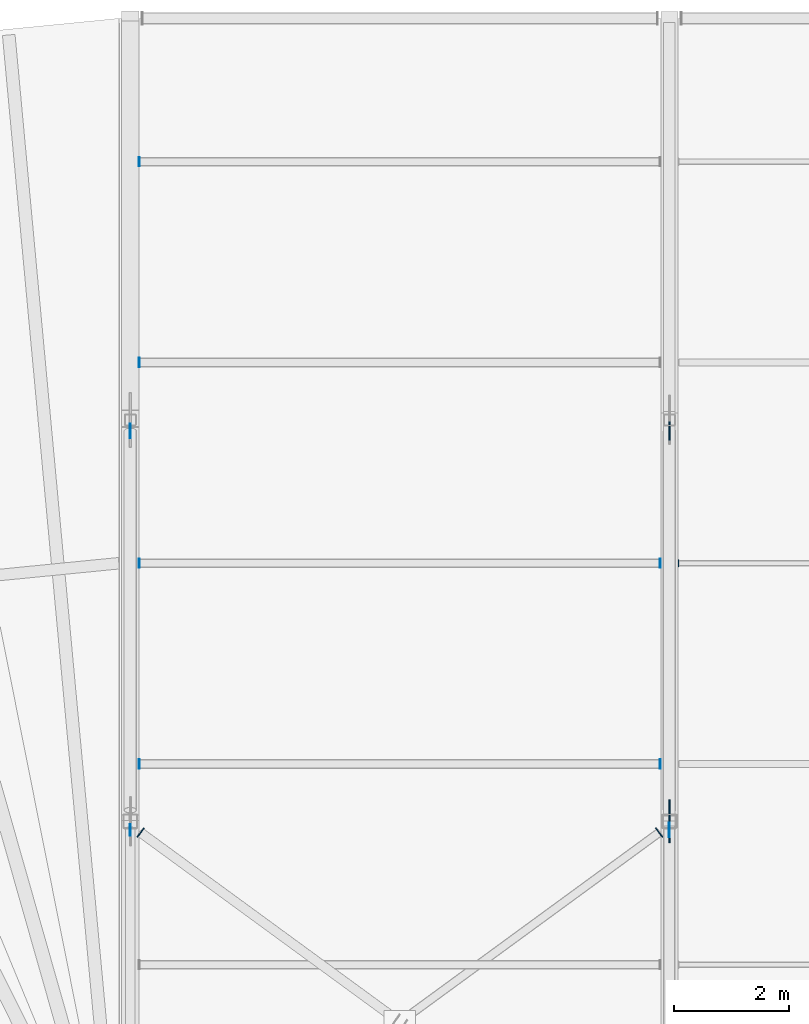
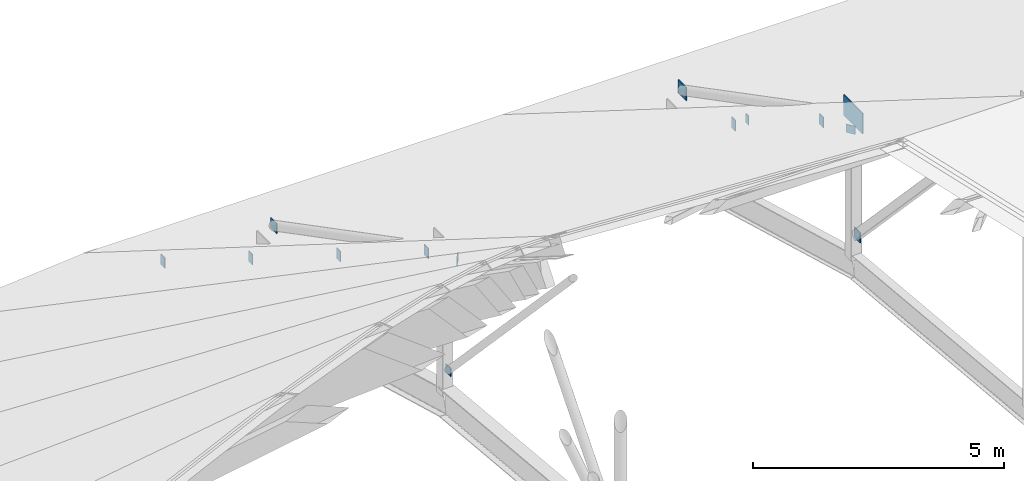
# One storey, part 49 of 66: 14 plates.
"""IFC4 building model written with IfcOpenShell, lengths in metres."""

import ifcopenshell
import ifcopenshell.guid

model = None  # the IFC model being written
_history = None  # IfcOwnerHistory: only IFC2X3 demands one
_inside = {}  # id of a spatial element -> (the spatial element, [elements in it])
_under = {}  # id of a project, library or spatial element -> (it, [spatial elements below it])
_declared = {}  # id of a project -> (the project, [libraries it declares])
_typed = {}  # id of a type object -> (the type object, [elements of that type])
_made_of = {}  # id of a material, layer set ... -> (it, [elements and type objects made of it])


def new_model(schema):
    """Start an empty IFC model of exactly this schema.

    Asked for "IFC4X3", IfcOpenShell would pick the latest addendum, in which some entities
    have other attributes; the version numbers below select the first issue.
    IFC2X3 requires an IfcOwnerHistory on every rooted entity: one is made here for all.
    """
    global model, _history
    if schema == "IFC4X3":
        model = ifcopenshell.file(schema_version=(4, 3, 0, 0))
    else:
        model = ifcopenshell.file(schema=schema)
    _inside.clear()
    _under.clear()
    _declared.clear()
    _typed.clear()
    _made_of.clear()
    _history = None
    if model.schema == "IFC2X3":
        org = make("IfcOrganization", Name="unknown")
        user = make(
            "IfcPersonAndOrganization",
            ThePerson=make("IfcPerson", FamilyName="unknown"),
            TheOrganization=org,
        )
        app = make(
            "IfcApplication",
            ApplicationDeveloper=org,
            Version="unknown",
            ApplicationFullName="unknown",
            ApplicationIdentifier="unknown",
        )
        _history = make(
            "IfcOwnerHistory",
            OwningUser=user,
            OwningApplication=app,
            ChangeAction="ADDED",
            CreationDate=0,
        )
    return model


def make(cls, **values):
    """One entity of the class cls with the attributes given. An attribute that is None is left unset."""
    return model.create_entity(
        cls, **{name: value for name, value in values.items() if value is not None}
    )


def rooted(cls, **values):
    """An entity with a GlobalId (a new one), such as an element, a storey or a relation."""
    return make(cls, GlobalId=ifcopenshell.guid.new(), OwnerHistory=_history, **values)


def si_unit(unit_type, name, prefix=None):
    """IfcSIUnit, for example si_unit("LENGTHUNIT", "METRE", prefix="MILLI")."""
    return make("IfcSIUnit", UnitType=unit_type, Prefix=prefix, Name=name)


def assignment(units):
    """IfcUnitAssignment: the units of a project."""
    return None if units is None else make("IfcUnitAssignment", Units=units)


def point(xyz):
    """IfcCartesianPoint."""
    return None if xyz is None else make("IfcCartesianPoint", Coordinates=xyz)


def direction(xyz):
    """IfcDirection."""
    return None if xyz is None else make("IfcDirection", DirectionRatios=xyz)


def frame(location, z_axis=None, x_axis=None):
    """IfcAxis2Placement3D, a coordinate frame: its origin and axes. An axis left out is left unset."""
    return make(
        "IfcAxis2Placement3D",
        Location=point(location),
        Axis=direction(z_axis),
        RefDirection=direction(x_axis),
    )


def frame_2d(location, x_axis=None):
    """IfcAxis2Placement2D, a coordinate frame in the plane: its origin and x axis."""
    return make(
        "IfcAxis2Placement2D", Location=point(location), RefDirection=direction(x_axis)
    )


def origin():
    """The frame at (0, 0, 0) with its axes left unset."""
    return frame((0.0, 0.0, 0.0))


def origin_2d():
    """The frame at (0, 0) in the plane with its x axis left unset."""
    return frame_2d((0.0, 0.0))


def place(relative_to, where):
    """IfcLocalPlacement: puts the frame where relative to a parent placement (None: the world)."""
    return make(
        "IfcLocalPlacement", PlacementRelTo=relative_to, RelativePlacement=where
    )


def context(
    kind, dimensions, precision=None, world=None, true_north=None, identifier=None
):
    """IfcGeometricRepresentationContext, for example the 3D "Model" context."""
    return make(
        "IfcGeometricRepresentationContext",
        ContextIdentifier=identifier,
        ContextType=kind,
        CoordinateSpaceDimension=dimensions,
        Precision=precision,
        WorldCoordinateSystem=world,
        TrueNorth=true_north,
    )


def subcontext(parent, identifier, kind, view, scale=None):
    """IfcGeometricRepresentationSubContext, for example "Body" below "Model"."""
    return make(
        "IfcGeometricRepresentationSubContext",
        ContextIdentifier=identifier,
        ContextType=kind,
        ParentContext=parent,
        TargetScale=scale,
        TargetView=view,
    )


def project(units=None, contexts=None):
    """IfcProject with its units and contexts."""
    return rooted(
        "IfcProject",
        Name="project",
        RepresentationContexts=contexts,
        UnitsInContext=assignment(units),
    )


def spatial(cls, under=None, at=None, **own):
    """A site, building, storey or space (cls), placed at a placement, below another one or the project."""
    s = rooted(cls, ObjectPlacement=at, **own)
    if under is not None:
        _under.setdefault(under.id(), (under, []))[1].append(s)
    return s


def profile(cls, at=None, kind="AREA", **sizes):
    """A parametric profile (cls). Its sizes go by their IFC names, for example OverallWidth=200.0."""
    return make(cls, ProfileType=kind, Position=at, **sizes)


def rectangle(**sizes):
    """IfcRectangleProfileDef."""
    return profile("IfcRectangleProfileDef", **sizes)


def extrude(swept, where, along, depth):
    """IfcExtrudedAreaSolid: the profile swept, set in the frame where, extruded along a direction by depth."""
    return make(
        "IfcExtrudedAreaSolid",
        SweptArea=swept,
        Position=where,
        ExtrudedDirection=direction(along),
        Depth=depth,
    )


def shape(context_of_items, identifier, shape_type, items):
    """IfcShapeRepresentation: the items that make up one representation, for example the "Body"."""
    return make(
        "IfcShapeRepresentation",
        ContextOfItems=context_of_items,
        RepresentationIdentifier=identifier,
        RepresentationType=shape_type,
        Items=items,
    )


def material(Name=None, Category=None):
    """IfcMaterial."""
    return make("IfcMaterial", Name=Name, Category=Category)


def layer(
    of_material, thickness, ventilated=None, Name=None, Category=None, Priority=None
):
    """IfcMaterialLayer: one layer of a wall or slab, of a material (None: an air gap)."""
    return make(
        "IfcMaterialLayer",
        Material=of_material,
        LayerThickness=thickness,
        IsVentilated=ventilated,
        Name=Name,
        Category=Category,
        Priority=Priority,
    )


def layer_set(layers, Name=None):
    """IfcMaterialLayerSet."""
    return make("IfcMaterialLayerSet", MaterialLayers=layers, LayerSetName=Name)


def made_of(thing, what):
    """Note that an element or type object is made of a material, layer set ...; save() writes the relation."""
    if what is not None:
        _made_of.setdefault(what.id(), (what, []))[1].append(thing)
    return thing


def type_object(cls, material=None, **own):
    """A type object (cls), such as IfcWallType, which elements share."""
    return made_of(rooted(cls, **own), material)


def element(
    cls,
    number,
    at=None,
    inside=None,
    cuts=None,
    type_object=None,
    material=None,
    context=None,
    identifier="Body",
    shape_type=None,
    held_by="IfcProductDefinitionShape",
    body=None,
    shapes=None,
    **own,
):
    """One element of the class cls, such as IfcWall. Its Tag is "e" and its number.

    at: its placement. inside: the storey or other place that contains it. cuts: it is an
    opening in that element (IfcRelVoidsElement). A single representation is given by context,
    identifier, shape_type and body (its items); several are given by shapes. held_by: the class
    of the entity that holds the representations. save() writes the other relations.
    """
    e = rooted(cls, Tag="e%d" % number, ObjectPlacement=at, **own)
    if body is not None:
        shapes = [shape(context, identifier, shape_type, body)]
    if shapes is not None:
        e.Representation = make(held_by, Representations=shapes)
    if inside is not None:
        _inside.setdefault(inside.id(), (inside, []))[1].append(e)
    if cuts is not None:
        rooted(
            "IfcRelVoidsElement", RelatingBuildingElement=cuts, RelatedOpeningElement=e
        )
    if type_object is not None:
        _typed.setdefault(type_object.id(), (type_object, []))[1].append(e)
    return made_of(e, material)


def aggregate(whole, parts):
    """IfcRelAggregates: a whole, such as a stair, and the parts it consists of."""
    return rooted("IfcRelAggregates", RelatingObject=whole, RelatedObjects=parts)


def save(model, path):
    """Write the relations noted so far, then the file.

    IfcRelAggregates (storeys below a building ...), IfcRelContainedInSpatialStructure (elements
    in a storey), IfcRelDefinesByType, IfcRelAssociatesMaterial and IfcRelDeclares: one each for
    every whole, place, type object, material and project.
    """
    for whole, parts in _under.values():
        aggregate(whole, parts)
    for where, things in _inside.values():
        rooted(
            "IfcRelContainedInSpatialStructure",
            RelatedElements=things,
            RelatingStructure=where,
        )
    for kind, things in _typed.values():
        rooted("IfcRelDefinesByType", RelatedObjects=things, RelatingType=kind)
    for what, things in _made_of.values():
        rooted("IfcRelAssociatesMaterial", RelatedObjects=things, RelatingMaterial=what)
    for by, libraries in _declared.values():
        rooted("IfcRelDeclares", RelatingContext=by, RelatedDefinitions=libraries)
    model.write(path)


model = new_model("IFC4")

# Units and contexts
model_context = context("Model", 3, precision=1e-05, world=origin(), true_north=direction((0.0, 1.0)))
body_context = subcontext(model_context, "Body", "Model", "MODEL_VIEW")
ifc_project = project(units=[si_unit("LENGTHUNIT", "METRE"), si_unit("AREAUNIT", "SQUARE_METRE"), si_unit("VOLUMEUNIT", "CUBIC_METRE"), si_unit("PLANEANGLEUNIT", "RADIAN"), si_unit("MASSUNIT", "GRAM", prefix="KILO")], contexts=[model_context])

# Site, building, storey
site_placement = place(None, origin())
site = spatial("IfcSite", under=ifc_project, at=site_placement, CompositionType="ELEMENT")
building_placement = place(site_placement, origin())
building = spatial("IfcBuilding", under=site, at=building_placement, Name="Yeouljin Market Hall", CompositionType="ELEMENT")
storey_placement = place(building_placement, frame((0.0, 0.0, 23.39990234375)))
storey = spatial("IfcBuildingStorey", under=building, at=storey_placement, Name="RF", CompositionType="ELEMENT", Elevation=23.39990234375)

# Plates
ifc_material_1 = material(Name="Steel SM355", Category="steel")
ifc_layer_1 = layer(ifc_material_1, 0.01611328125)
ifc_layer_set_1 = layer_set([ifc_layer_1], Name="Steel SM355")
plate_type_1 = type_object("IfcPlateType", Name="CapPlate_200x200x16", PredefinedType="SHEET", material=ifc_layer_set_1)
for number, where, z_axis, x_axis, name in (
    (1, (35.60009765625, 63.848876953125, -6.43994140625), (0.0, 0.0, 1.0), (0.0, 1.0, 0.0), "Hollow web end-cap plate 0003"),
    (2, (44.820068359375, 63.804443359375, -3.78271484375), (0.0, 0.0, 1.0), (-0.590183063249, 0.807269441918, 0.0), "Wind brace end-cap plate 0080"),
    (3, (35.780029296875, 63.804443359375, -3.78271484375), (0.0, 0.0, 1.0), (0.590183063249, 0.807269441918, 0.0), "Wind brace end-cap plate 0081"),
):
    element("IfcPlate", number, at=place(storey_placement, frame(where, z_axis=z_axis, x_axis=x_axis)), inside=storey, type_object=plate_type_1, Name=name, PredefinedType="SHEET", context=body_context, shape_type="SweptSolid", body=[
        extrude(rectangle(XDim=0.199951171875, YDim=0.01611328125, at=origin_2d()), origin(), (0.0, 0.0, 1.0), 0.199951171875),
    ])
ifc_material_2 = material(Name="Steel SM355", Category="steel")
ifc_layer_2 = layer(ifc_material_2, 0.01611328125)
ifc_layer_set_2 = layer_set([ifc_layer_2], Name="Steel SM355")
plate_type_2 = type_object("IfcPlateType", Name="CapPlate_220x120x16", PredefinedType="SHEET", material=ifc_layer_set_2)
plate_1_placement = place(storey_placement, frame((45.157958984375, 68.5, -6.5185546875), z_axis=(0.0, 0.0, 1.0), x_axis=(0.0, 1.0, 0.0)))
element("IfcPlate", 4, at=plate_1_placement, inside=storey, type_object=plate_type_2, Name="Purlin end-cap plate 0093", PredefinedType="SHEET", context=body_context, shape_type="SweptSolid", body=[
    extrude(rectangle(XDim=0.1201171875, YDim=0.01611328125, at=origin_2d()), origin(), (0.0, 0.0, 1.0), 0.219970703125),
])
ifc_material_3 = material(Name="Steel SM355", Category="steel")
ifc_layer_3 = layer(ifc_material_3, 0.01611328125)
ifc_layer_set_3 = layer_set([ifc_layer_3], Name="Steel SM355")
plate_type_3 = type_object("IfcPlateType", Name="CapPlate_250x250x16", PredefinedType="SHEET", material=ifc_layer_set_3)
for number, where, z_axis, x_axis, name in (
    (5, (35.60009765625, 70.804931640625, -7.167724609375), (0.0, 0.0, 1.0), (0.0, 1.0, 0.0), "Hollow web end-cap plate 0004"),
    (6, (45.0, 63.848876953125, -6.465087890625), (0.0, 0.0, 1.0), (0.0, 1.0, 0.0), "Hollow web end-cap plate 0007"),
):
    element("IfcPlate", number, at=place(storey_placement, frame(where, z_axis=z_axis, x_axis=x_axis)), inside=storey, type_object=plate_type_3, Name=name, PredefinedType="SHEET", context=body_context, shape_type="SweptSolid", body=[
        extrude(rectangle(XDim=0.25, YDim=0.01611328125, at=origin_2d()), origin(), (0.0, 0.0, 1.0), 0.25),
    ])
ifc_material_4 = material(Name="Steel SM355", Category="steel")
ifc_layer_4 = layer(ifc_material_4, 0.01611328125)
ifc_layer_set_4 = layer_set([ifc_layer_4], Name="Steel SM355")
plate_type_4 = type_object("IfcPlateType", Name="CapPlate_260x160x16", PredefinedType="SHEET", material=ifc_layer_set_4)
for number, where, z_axis, x_axis, name in (
    (7, (35.758056640625, 65.0, -4.33837890625), (0.0, 0.0, 1.0), (0.0, 1.0, 0.0), "Purlin end-cap plate 0065"),
    (8, (44.842041015625, 65.0, -4.33837890625), (0.0, 0.0, 1.0), (0.0, 1.0, 0.0), "Purlin end-cap plate 0066"),
    (9, (35.758056640625, 68.5, -6.53857421875), (0.0, 0.0, 1.0), (0.0, 1.0, 0.0), "Purlin end-cap plate 0067"),
    (10, (44.842041015625, 68.5, -6.53857421875), (0.0, 0.0, 1.0), (0.0, 1.0, 0.0), "Purlin end-cap plate 0068"),
    (11, (35.758056640625, 72.0, -8.73828125), (0.0, 0.0, 1.0), (0.0, 1.0, 0.0), "Purlin end-cap plate 0069"),
    (12, (35.758056640625, 75.5, -10.9384765625), (0.0, 0.0, 1.0), (0.0, 1.0, 0.0), "Purlin end-cap plate 0071"),
):
    element("IfcPlate", number, at=place(storey_placement, frame(where, z_axis=z_axis, x_axis=x_axis)), inside=storey, type_object=plate_type_4, Name=name, PredefinedType="SHEET", context=body_context, shape_type="SweptSolid", body=[
        extrude(rectangle(XDim=0.159912109375, YDim=0.01611328125, at=origin_2d()), origin(), (0.0, 0.0, 1.0), 0.260009765625),
    ])
ifc_material_5 = material(Name="Steel SM355", Category="steel")
ifc_layer_5 = layer(ifc_material_5, 0.02001953125)
ifc_layer_set_5 = layer_set([ifc_layer_5], Name="Steel SM355")
plate_type_5 = type_object("IfcPlateType", Name="CapPlate_320x320x20", PredefinedType="SHEET", material=ifc_layer_set_5)
plate_2_placement = place(storey_placement, frame((45.0, 70.804931640625, -7.20263671875), z_axis=(0.0, 0.0, 1.0), x_axis=(0.0, 1.0, 0.0)))
element("IfcPlate", 13, at=plate_2_placement, inside=storey, type_object=plate_type_5, Name="Hollow web end-cap plate 0008", PredefinedType="SHEET", context=body_context, shape_type="SweptSolid", body=[
    extrude(rectangle(XDim=0.320068359375, YDim=0.02001953125, at=origin_2d()), origin(), (0.0, 0.0, 1.0), 0.320068359375),
])
ifc_material_6 = material(Name="Steel SM355", Category="steel")
ifc_layer_6 = layer(ifc_material_6, 0.02392578125)
ifc_layer_set_6 = layer_set([ifc_layer_6], Name="Steel SM355")
plate_type_6 = type_object("IfcPlateType", Name="GussetPlate_750x500x24", PredefinedType="USERDEFINED", material=ifc_layer_set_6)
plate_3_placement = place(storey_placement, frame((45.0, 64.0, -3.75), z_axis=(0.0, 0.0, 1.0), x_axis=(0.0, 1.0, 0.0)))
element("IfcPlate", 14, at=plate_3_placement, inside=storey, type_object=plate_type_6, Name="Truss node gusset plate 009", ObjectType="GUSSET PLATE", PredefinedType="USERDEFINED", context=body_context, shape_type="SweptSolid", body=[
    extrude(rectangle(XDim=0.75, YDim=0.02392578125, at=origin_2d()), origin(), (0.0, 0.0, 1.0), 0.5),
])

save(model, "model.ifc")
